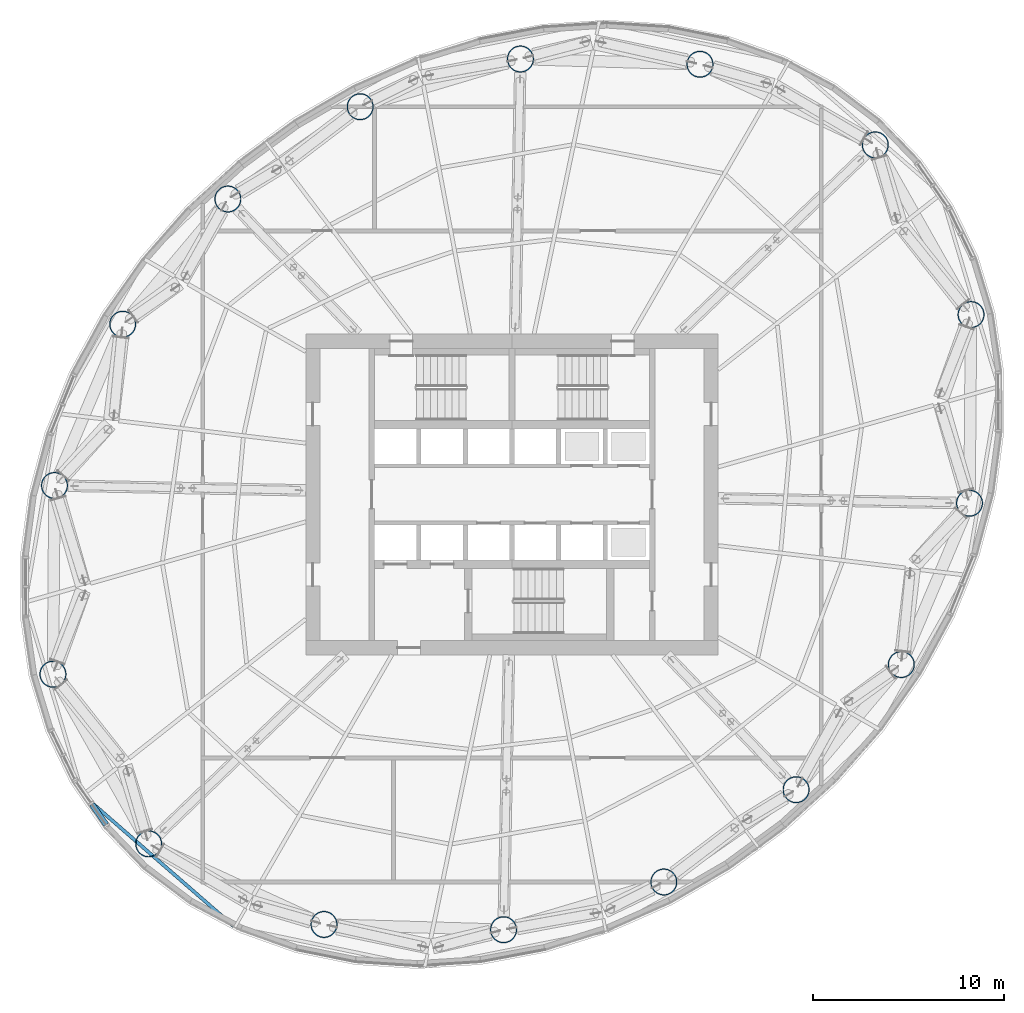
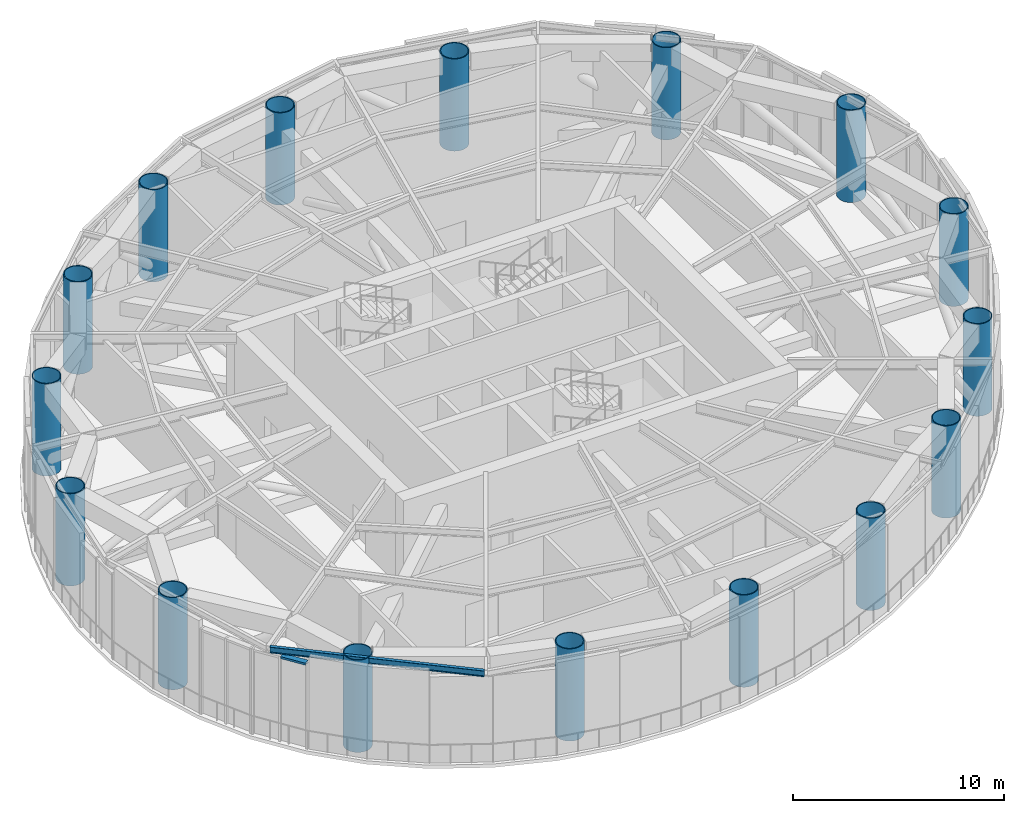
# One storey, part 1 of 19: 16 columns, 1 beam, 1 member, 1 element without a shape of its own.
"""IFC4 building model written with IfcOpenShell, lengths in metres."""

from ifc_helpers import new_model, si_unit, direction, frame, origin, origin_2d, place, context, subcontext, project, spatial, rectangle, hollow_circle, i_section, extrude, material, material_profile, profile_set, type_object, element, aggregate, save


model = new_model("IFC4")

# Units and contexts
model_context = context("Model", 3, precision=1e-05, world=origin(), true_north=direction((0.0, 1.0)))
body_context = subcontext(model_context, "Body", "Model", "MODEL_VIEW")
ifc_project = project(units=[si_unit("LENGTHUNIT", "METRE"), si_unit("AREAUNIT", "SQUARE_METRE"), si_unit("VOLUMEUNIT", "CUBIC_METRE"), si_unit("PLANEANGLEUNIT", "RADIAN"), si_unit("MASSUNIT", "GRAM", prefix="KILO")], contexts=[model_context])

# Site, building, storey
site_placement = place(None, origin())
site = spatial("IfcSite", under=ifc_project, at=site_placement, CompositionType="ELEMENT")
building_placement = place(site_placement, origin())
building = spatial("IfcBuilding", under=site, at=building_placement, Name="Vermilion Reach Broadcast Tower", CompositionType="ELEMENT")
storey_placement = place(building_placement, frame((0.0, 0.0, 190.199951171875)))
storey = spatial("IfcBuildingStorey", under=building, at=storey_placement, Name="L46", CompositionType="ELEMENT", Elevation=190.199951171875)

# Columns
ifc_material_1 = material(Name="Concrete C70 infill in steel S460NL tube", Category="concrete")
ifc_material_profile_1 = material_profile(ifc_material_1, hollow_circle(Radius=0.699951171875, WallThickness=0.050048828125, at=origin_2d()), Name="Concrete C70 infill in steel S460NL tube CFT 1400x50")
ifc_profile_set_1 = profile_set([ifc_material_profile_1], Name="Concrete C70 infill in steel S460NL tube")
column_type = type_object("IfcColumnType", Name="MC3 CFT 1400x50", PredefinedType="COLUMN", material=ifc_profile_set_1)
for number, where, z_axis, x_axis, name in (
    (1, (13.02587890625, 18.302734375, 0.0), (0.0, 0.0, 1.0), (1.0, 0.0, 0.0), "Mega-column MC3-01"),
    (2, (3.84521484375, 22.524169921875, 0.0), (0.0, 0.0, 1.0), (1.0, 0.0, 0.0), "Mega-column MC3-02"),
    (3, (-5.558349609375, 22.800048828125, 0.0), (0.0, 0.0, 1.0), (1.0, 0.0, 0.0), "Mega-column MC3-03"),
    (4, (-13.95166015625, 20.30078125, 0.0), (0.0, 0.0, 1.0), (1.0, 0.0, 0.0), "Mega-column MC3-04"),
    (5, (-20.879150390625, 15.46728515625, 0.0), (0.0, 0.0, 1.0), (1.0, 0.0, 0.0), "Mega-column MC3-05"),
    (6, (-26.38818359375, 8.91162109375, 0.0), (0.0, 0.0, 1.0), (1.0, 0.0, 0.0), "Mega-column MC3-06"),
    (7, (-29.95947265625, 0.464111328125, 0.0), (0.0, 0.0, 1.0), (1.0, 0.0, 0.0), "Mega-column MC3-07"),
    (8, (-30.04052734375, -9.41650390625, 0.0), (0.0, 0.0, 1.0), (1.0, 0.0, 0.0), "Mega-column MC3-08"),
    (9, (-25.02587890625, -18.302734375, 0.0), (0.0, 0.0, 1.0), (1.0, 0.0, 0.0), "Mega-column MC3-09"),
    (10, (-15.84521484375, -22.524169921875, 0.0), (0.0, 0.0, 1.0), (1.0, 0.0, 0.0), "Mega-column MC3-10"),
    (11, (-6.441650390625, -22.800048828125, 0.0), (0.0, 0.0, 1.0), (1.0, 0.0, 0.0), "Mega-column MC3-11"),
    (12, (1.95166015625, -20.30078125, 0.0), (0.0, 0.0, 1.0), (1.0, 0.0, 0.0), "Mega-column MC3-12"),
    (13, (8.879150390625, -15.46728515625, 0.0), (0.0, 0.0, 1.0), (1.0, 0.0, 0.0), "Mega-column MC3-13"),
    (14, (14.38818359375, -8.91162109375, 0.0), (0.0, 0.0, 1.0), (1.0, 0.0, 0.0), "Mega-column MC3-14"),
    (15, (17.95947265625, -0.464111328125, 0.0), (0.0, 0.0, 1.0), (1.0, 0.0, 0.0), "Mega-column MC3-15"),
    (16, (18.04052734375, 9.41650390625, 0.0), (0.0, 0.0, 1.0), (1.0, 0.0, 0.0), "Mega-column MC3-16"),
):
    element("IfcColumn", number, at=place(storey_placement, frame(where, z_axis=z_axis, x_axis=x_axis)), inside=storey, type_object=column_type, Name=name, PredefinedType="COLUMN", context=body_context, shape_type="SweptSolid", body=[
        extrude(hollow_circle(Radius=0.699951171875, WallThickness=0.050048828125, at=origin_2d()), origin(), (0.0, 0.0, 1.0), 5.35009765625),
    ])

# Curtain wall, member
ifc_material_2 = material(Name="Low-e laminated clear glass in aluminium frame", Category="aluminium")
curtain_wall_type = type_object("IfcCurtainWallType", Name="Belt glazing curtain wall", PredefinedType="NOTDEFINED", material=ifc_material_2)
curtain_wall_placement = place(storey_placement, origin())
curtain_wall = element("IfcCurtainWall", 17, at=curtain_wall_placement, inside=storey, type_object=curtain_wall_type, Name="Sky lobby glazing L46 02", PredefinedType="NOTDEFINED")
ifc_material_3 = material(Name="Anodised aluminium", Category="aluminium")
ifc_material_profile_2 = material_profile(ifc_material_3, rectangle(XDim=0.300048828125, YDim=0.1201171875, at=origin_2d()), Name="Belt glazing transom 300 x 120")
ifc_profile_set_2 = profile_set([ifc_material_profile_2], Name="Anodised aluminium")
member_type = type_object("IfcMemberType", Name="Belt glazing transom 300 x 120", PredefinedType="USERDEFINED", material=ifc_profile_set_2)
member_placement = place(storey_placement, frame((-28.000732421875, -16.224365234375, 4.89013671875), z_axis=(0.570475953353, -0.82131430442, 0.0), x_axis=(0.82131430442, 0.570475953353, 0.0)))
member = element("IfcMember", 18, at=member_placement, type_object=member_type, Name="Sky lobby glazing transom L46 02.2.2", ObjectType="TRANSOM", PredefinedType="USERDEFINED", context=body_context, shape_type="SweptSolid", body=[
    extrude(rectangle(XDim=0.300048828125, YDim=0.1201171875, at=origin_2d()), origin(), (0.0, 0.0, 1.0), 1.31298828125),
])
aggregate(curtain_wall, [member])

# Beam
ifc_material_4 = material(Name="Steel S355J2", Category="steel")
ifc_material_profile_3 = material_profile(ifc_material_4, i_section(OverallWidth=0.175048828125, OverallDepth=0.35009765625, WebThickness=0.007080078125, FlangeThickness=0.010986328125, at=origin_2d()), Name="S355J2 HN 350x175x7x11")
ifc_profile_set_3 = profile_set([ifc_material_profile_3], Name="Steel S355J2")
beam_type = type_object("IfcBeamType", Name="EB4 HN 350x175x7x11", PredefinedType="BEAM", material=ifc_profile_set_3)
beam_placement = place(storey_placement, frame((-28.40087890625, -15.805908203125, 5.175048828125), z_axis=(0.754421182211, -0.656390645752, 0.0), x_axis=(0.656390645752, 0.754421182211, 0.0)))
element("IfcBeam", 19, at=beam_placement, inside=storey, type_object=beam_type, Name="Edge beam EB4-08", PredefinedType="BEAM", context=body_context, shape_type="SweptSolid", body=[
    extrude(i_section(OverallWidth=0.175048828125, OverallDepth=0.35009765625, WebThickness=0.007080078125, FlangeThickness=0.010986328125, at=origin_2d()), origin(), (0.0, 0.0, 1.0), 10.380126953125),
])

save(model, "model.ifc")
